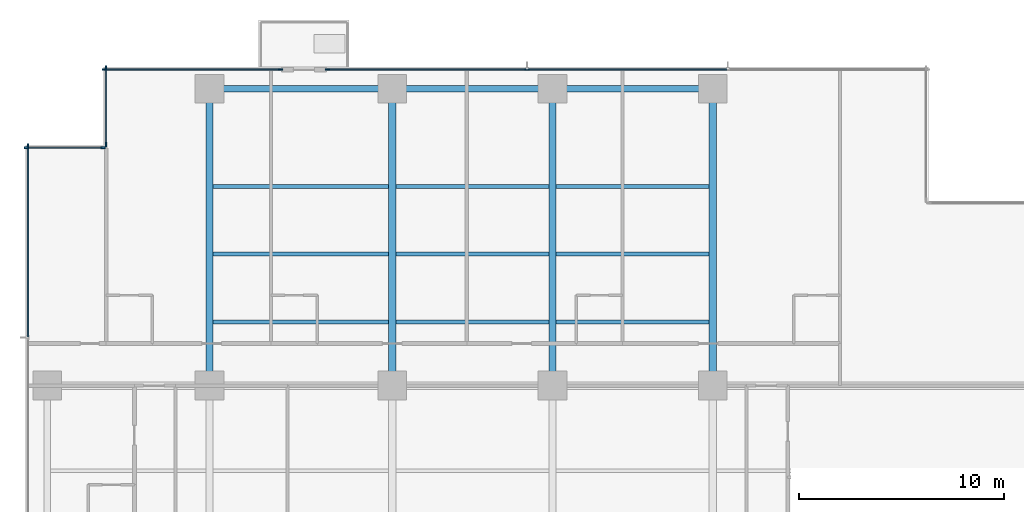
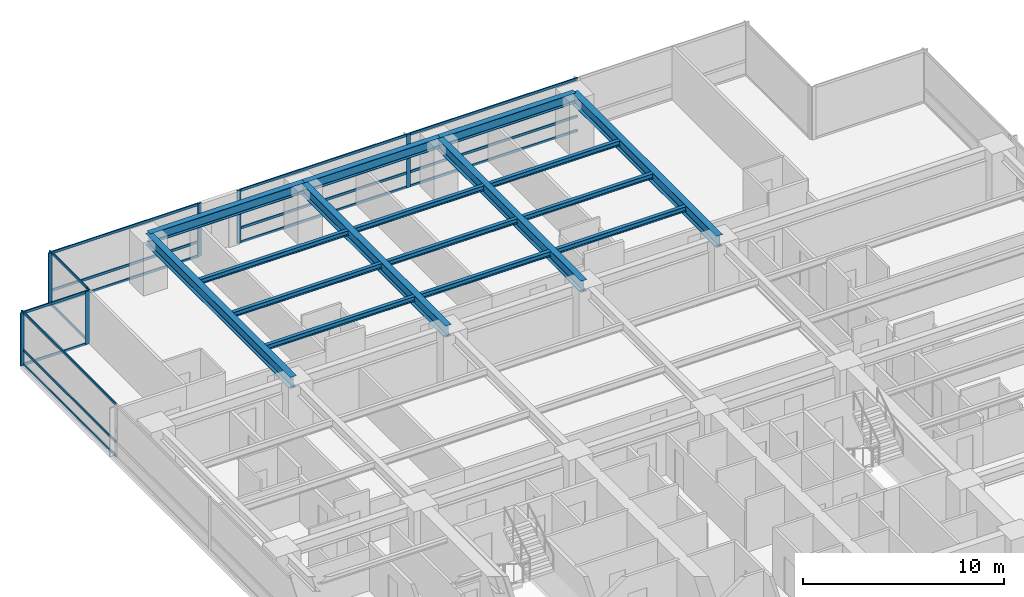
# One storey, part 4 of 17: 25 members, 16 beams, 5 elements without a shape of their own.
"""IFC4 building model written with IfcOpenShell, lengths in metres."""

from ifc_helpers import new_model, si_unit, direction, frame, origin, origin_2d, place, context, subcontext, project, spatial, rectangle, i_section, extrude, material, layer, layer_set, material_profile, profile_set, type_object, element, aggregate, save


model = new_model("IFC4")

# Units and contexts
model_context = context("Model", 3, precision=1e-05, world=origin(), true_north=direction((0.0, 1.0)))
body_context = subcontext(model_context, "Body", "Model", "MODEL_VIEW")
ifc_project = project(units=[si_unit("LENGTHUNIT", "METRE"), si_unit("AREAUNIT", "SQUARE_METRE"), si_unit("VOLUMEUNIT", "CUBIC_METRE"), si_unit("PLANEANGLEUNIT", "RADIAN"), si_unit("MASSUNIT", "GRAM", prefix="KILO")], contexts=[model_context])

# Site, building, storey
site_placement = place(None, origin())
site = spatial("IfcSite", under=ifc_project, at=site_placement, CompositionType="ELEMENT")
building_placement = place(site_placement, origin())
building = spatial("IfcBuilding", under=site, at=building_placement, Name="Qalmaran Belvedere Hotel", CompositionType="ELEMENT")
storey_placement = place(building_placement, frame((0.0, 0.0, 68.39990234375)))
storey = spatial("IfcBuildingStorey", under=building, at=storey_placement, Name="L17", CompositionType="ELEMENT", Elevation=68.39990234375)

# Beams
ifc_material_1 = material(Name="Steel S355JR", Category="steel")
ifc_material_profile_1 = material_profile(ifc_material_1, i_section(OverallWidth=0.202880859375, OverallDepth=0.302978515625, WebThickness=0.007568359375, FlangeThickness=0.01318359375, FilletRadius=0.012939453125, at=origin_2d()), Name="W310X60")
ifc_profile_set_1 = profile_set([ifc_material_profile_1], Name="Steel S355JR")
beam_type_1 = type_object("IfcBeamType", Name="BM-JST-W310X60", PredefinedType="JOIST", material=ifc_profile_set_1)
beam_1_placement = place(storey_placement, frame((20.4755859375, 36.10009765625, 3.068603515625), z_axis=(1.0, 0.0, 0.0), x_axis=(0.0, 1.0, 0.0)))
element("IfcBeam", 1, at=beam_1_placement, inside=storey, type_object=beam_type_1, Name="L17 North Floor Joist 042", PredefinedType="JOIST", context=body_context, shape_type="SweptSolid", body=[
    extrude(i_section(OverallWidth=0.202880859375, OverallDepth=0.302978515625, WebThickness=0.007568359375, FlangeThickness=0.01318359375, FilletRadius=0.012939453125, at=origin_2d()), origin(), (0.0, 0.0, 1.0), 8.548828125),
])
for number, where, z_axis, x_axis, name in (
    (2, (29.37548828125, 36.10009765625, 3.068603515625), (1.0, 0.0, 0.0), (0.0, 1.0, 0.0), "L17 North Floor Joist 043"),
    (3, (37.175537109375, 36.10009765625, 3.068603515625), (1.0, 0.0, 0.0), (0.0, 1.0, 0.0), "L17 North Floor Joist 044"),
):
    element("IfcBeam", number, at=place(storey_placement, frame(where, z_axis=z_axis, x_axis=x_axis)), inside=storey, type_object=beam_type_1, Name=name, PredefinedType="JOIST", context=body_context, shape_type="SweptSolid", body=[
        extrude(i_section(OverallWidth=0.202880859375, OverallDepth=0.302978515625, WebThickness=0.007568359375, FlangeThickness=0.01318359375, FilletRadius=0.012939453125, at=origin_2d()), origin(), (0.0, 0.0, 1.0), 7.448974609375),
    ])
beam_2_placement = place(storey_placement, frame((20.4755859375, 39.39990234375, 3.068603515625), z_axis=(1.0, 0.0, 0.0), x_axis=(0.0, 1.0, 0.0)))
element("IfcBeam", 4, at=beam_2_placement, inside=storey, type_object=beam_type_1, Name="L17 North Floor Joist 045", PredefinedType="JOIST", context=body_context, shape_type="SweptSolid", body=[
    extrude(i_section(OverallWidth=0.202880859375, OverallDepth=0.302978515625, WebThickness=0.007568359375, FlangeThickness=0.01318359375, FilletRadius=0.012939453125, at=origin_2d()), origin(), (0.0, 0.0, 1.0), 8.548828125),
])
for number, where, z_axis, x_axis, name in (
    (5, (29.37548828125, 39.39990234375, 3.068603515625), (1.0, 0.0, 0.0), (0.0, 1.0, 0.0), "L17 North Floor Joist 046"),
    (6, (37.175537109375, 39.39990234375, 3.068603515625), (1.0, 0.0, 0.0), (0.0, 1.0, 0.0), "L17 North Floor Joist 047"),
):
    element("IfcBeam", number, at=place(storey_placement, frame(where, z_axis=z_axis, x_axis=x_axis)), inside=storey, type_object=beam_type_1, Name=name, PredefinedType="JOIST", context=body_context, shape_type="SweptSolid", body=[
        extrude(i_section(OverallWidth=0.202880859375, OverallDepth=0.302978515625, WebThickness=0.007568359375, FlangeThickness=0.01318359375, FilletRadius=0.012939453125, at=origin_2d()), origin(), (0.0, 0.0, 1.0), 7.448974609375),
    ])
beam_3_placement = place(storey_placement, frame((20.4755859375, 42.699951171875, 3.068603515625), z_axis=(1.0, 0.0, 0.0), x_axis=(0.0, 1.0, 0.0)))
element("IfcBeam", 7, at=beam_3_placement, inside=storey, type_object=beam_type_1, Name="L17 North Floor Joist 048", PredefinedType="JOIST", context=body_context, shape_type="SweptSolid", body=[
    extrude(i_section(OverallWidth=0.202880859375, OverallDepth=0.302978515625, WebThickness=0.007568359375, FlangeThickness=0.01318359375, FilletRadius=0.012939453125, at=origin_2d()), origin(), (0.0, 0.0, 1.0), 8.548828125),
])
for number, where, z_axis, x_axis, name in (
    (8, (29.37548828125, 42.699951171875, 3.068603515625), (1.0, 0.0, 0.0), (0.0, 1.0, 0.0), "L17 North Floor Joist 049"),
    (9, (37.175537109375, 42.699951171875, 3.068603515625), (1.0, 0.0, 0.0), (0.0, 1.0, 0.0), "L17 North Floor Joist 050"),
):
    element("IfcBeam", number, at=place(storey_placement, frame(where, z_axis=z_axis, x_axis=x_axis)), inside=storey, type_object=beam_type_1, Name=name, PredefinedType="JOIST", context=body_context, shape_type="SweptSolid", body=[
        extrude(i_section(OverallWidth=0.202880859375, OverallDepth=0.302978515625, WebThickness=0.007568359375, FlangeThickness=0.01318359375, FilletRadius=0.012939453125, at=origin_2d()), origin(), (0.0, 0.0, 1.0), 7.448974609375),
    ])
ifc_material_profile_2 = material_profile(ifc_material_1, i_section(OverallWidth=0.326904296875, OverallDepth=0.6220703125, WebThickness=0.015380859375, FlangeThickness=0.0244140625, FilletRadius=0.02001953125, at=origin_2d()), Name="W610X195")
ifc_profile_set_2 = profile_set([ifc_material_profile_2], Name="Steel S355JR")
beam_type_2 = type_object("IfcBeamType", Name="BM-SP1-W610X195", PredefinedType="SPANDREL", material=ifc_profile_set_2)
beam_4_placement = place(storey_placement, frame((20.300048828125, 47.449951171875, 2.9091796875), z_axis=(1.0, 0.0, 0.0), x_axis=(0.0, 1.0, 0.0)))
element("IfcBeam", 10, at=beam_4_placement, inside=storey, type_object=beam_type_2, Name="L17 Perimeter Spandrel 05", PredefinedType="SPANDREL", context=body_context, shape_type="SweptSolid", body=[
    extrude(i_section(OverallWidth=0.326904296875, OverallDepth=0.6220703125, WebThickness=0.015380859375, FlangeThickness=0.0244140625, FilletRadius=0.02001953125, at=origin_2d()), origin(), (0.0, 0.0, 1.0), 8.89990234375),
])
for number, where, z_axis, x_axis, name in (
    (11, (29.199951171875, 47.449951171875, 2.9091796875), (1.0, 0.0, 0.0), (0.0, 1.0, 0.0), "L17 Perimeter Spandrel 06"),
    (12, (37.0, 47.449951171875, 2.9091796875), (1.0, 0.0, 0.0), (0.0, 1.0, 0.0), "L17 Perimeter Spandrel 07"),
):
    element("IfcBeam", number, at=place(storey_placement, frame(where, z_axis=z_axis, x_axis=x_axis)), inside=storey, type_object=beam_type_2, Name=name, PredefinedType="SPANDREL", context=body_context, shape_type="SweptSolid", body=[
        extrude(i_section(OverallWidth=0.326904296875, OverallDepth=0.6220703125, WebThickness=0.015380859375, FlangeThickness=0.0244140625, FilletRadius=0.02001953125, at=origin_2d()), origin(), (0.0, 0.0, 1.0), 7.800048828125),
    ])
ifc_material_profile_3 = material_profile(ifc_material_1, i_section(OverallWidth=0.35498046875, OverallDepth=0.695068359375, WebThickness=0.015380859375, FlangeThickness=0.02490234375, FilletRadius=0.02197265625, at=origin_2d()), Name="W690X217")
ifc_profile_set_3 = profile_set([ifc_material_profile_3], Name="Steel S355JR")
beam_type_3 = type_object("IfcBeamType", Name="BM-Z1-W690X217", PredefinedType="USERDEFINED", material=ifc_profile_set_3)
for number, where, z_axis, x_axis, name in (
    (13, (20.300048828125, 33.0, 2.87255859375), (0.0, 1.0, 0.0), (-1.0, 0.0, 0.0), "L17 North Bay Girder 15"),
    (14, (29.199951171875, 33.0, 2.87255859375), (0.0, 1.0, 0.0), (-1.0, 0.0, 0.0), "L17 North Bay Girder 17"),
    (15, (37.0, 33.0, 2.87255859375), (0.0, 1.0, 0.0), (-1.0, 0.0, 0.0), "L17 North Bay Girder 19"),
    (16, (44.800048828125, 33.0, 2.87255859375), (0.0, 1.0, 0.0), (-1.0, 0.0, 0.0), "L17 North Bay Girder 21"),
):
    element("IfcBeam", number, at=place(storey_placement, frame(where, z_axis=z_axis, x_axis=x_axis)), inside=storey, type_object=beam_type_3, Name=name, ObjectType="GIRDER", PredefinedType="USERDEFINED", context=body_context, shape_type="SweptSolid", body=[
        extrude(i_section(OverallWidth=0.35498046875, OverallDepth=0.695068359375, WebThickness=0.015380859375, FlangeThickness=0.02490234375, FilletRadius=0.02197265625, at=origin_2d()), origin(), (0.0, 0.0, 1.0), 14.449951171875),
    ])

# Curtain wall, members
ifc_material_2 = material(Name="Anodised Bronze Aluminium", Category="aluminium")
ifc_layer = layer(ifc_material_2, 0.2099609375, Name="Anodised Bronze Aluminium")
ifc_layer_set = layer_set([ifc_layer], Name="Anodised Bronze Aluminium")
curtain_wall_type = type_object("IfcCurtainWallType", Name="CW2-TOWER-LOWER", PredefinedType="NOTDEFINED", material=ifc_layer_set)
curtain_wall_1_placement = place(storey_placement, origin())
curtain_wall_1 = element("IfcCurtainWall", 17, at=curtain_wall_1_placement, inside=storey, type_object=curtain_wall_type, Name="L17 Curtain Wall CW2", PredefinedType="NOTDEFINED")
ifc_material_profile_4 = material_profile(ifc_material_2, rectangle(XDim=0.074951171875, YDim=0.219970703125, at=origin_2d()), Name="CWM75X220")
ifc_profile_set_4 = profile_set([ifc_material_profile_4], Name="Anodised Bronze Aluminium")
member_type_1 = type_object("IfcMemberType", Name="CWM-75X220", PredefinedType="MULLION", material=ifc_profile_set_4)
member_1_placement = place(storey_placement, frame((23.762451171875, 48.3798828125, 0.0), z_axis=(0.0, 0.0, 1.0), x_axis=(0.0, -1.0, 0.0)))
member_1 = element("IfcMember", 18, at=member_1_placement, type_object=member_type_1, Name="CW2 mullion 1", PredefinedType="MULLION", context=body_context, shape_type="SweptSolid", body=[
    extrude(rectangle(XDim=0.074951171875, YDim=0.219970703125, at=origin_2d()), origin(), (0.0, 0.0, 1.0), 3.22021484375),
])
member_2_placement = place(storey_placement, frame((15.1875, 48.3798828125, 0.0), z_axis=(0.0, 0.0, 1.0), x_axis=(0.0, -1.0, 0.0)))
member_2 = element("IfcMember", 19, at=member_2_placement, type_object=member_type_1, Name="CW2 mullion 2", PredefinedType="MULLION", context=body_context, shape_type="SweptSolid", body=[
    extrude(rectangle(XDim=0.074951171875, YDim=0.219970703125, at=origin_2d()), origin(), (0.0, 0.0, 1.0), 3.22021484375),
])

curtain_wall_2_placement = place(storey_placement, origin())
curtain_wall_2 = element("IfcCurtainWall", 20, at=curtain_wall_2_placement, inside=storey, type_object=curtain_wall_type, Name="L17 Curtain Wall CW2", PredefinedType="NOTDEFINED")
member_3_placement = place(storey_placement, frame((35.7666015625, 48.3798828125, 0.0), z_axis=(0.0, 0.0, 1.0), x_axis=(0.0, -1.0, 0.0)))
member_3 = element("IfcMember", 21, at=member_3_placement, type_object=member_type_1, Name="CW2 mullion 3", PredefinedType="MULLION", context=body_context, shape_type="SweptSolid", body=[
    extrude(rectangle(XDim=0.074951171875, YDim=0.219970703125, at=origin_2d()), origin(), (0.0, 0.0, 1.0), 3.22021484375),
])
member_4_placement = place(storey_placement, frame((26.03759765625, 48.3798828125, 0.0), z_axis=(0.0, 0.0, 1.0), x_axis=(0.0, -1.0, 0.0)))
member_4 = element("IfcMember", 22, at=member_4_placement, type_object=member_type_1, Name="CW2 mullion 4", PredefinedType="MULLION", context=body_context, shape_type="SweptSolid", body=[
    extrude(rectangle(XDim=0.074951171875, YDim=0.219970703125, at=origin_2d()), origin(), (0.0, 0.0, 1.0), 3.22021484375),
])

curtain_wall_3_placement = place(storey_placement, origin())
curtain_wall_3 = element("IfcCurtainWall", 23, at=curtain_wall_3_placement, inside=storey, type_object=curtain_wall_type, Name="L17 Curtain Wall CW2", PredefinedType="NOTDEFINED")
member_5_placement = place(storey_placement, frame((15.27001953125, 48.46240234375, 0.0), z_axis=(0.0, 0.0, 1.0), x_axis=(1.0, 0.0, 0.0)))
member_5 = element("IfcMember", 24, at=member_5_placement, type_object=member_type_1, Name="CW2 mullion 1", PredefinedType="MULLION", context=body_context, shape_type="SweptSolid", body=[
    extrude(rectangle(XDim=0.074951171875, YDim=0.219970703125, at=origin_2d()), origin(), (0.0, 0.0, 1.0), 3.22021484375),
])
member_6_placement = place(storey_placement, frame((15.27001953125, 44.737548828125, 0.0), z_axis=(0.0, 0.0, 1.0), x_axis=(1.0, 0.0, 0.0)))
member_6 = element("IfcMember", 25, at=member_6_placement, type_object=member_type_1, Name="CW2 mullion 2", PredefinedType="MULLION", context=body_context, shape_type="SweptSolid", body=[
    extrude(rectangle(XDim=0.074951171875, YDim=0.219970703125, at=origin_2d()), origin(), (0.0, 0.0, 1.0), 3.22021484375),
])

curtain_wall_4_placement = place(storey_placement, origin())
curtain_wall_4 = element("IfcCurtainWall", 26, at=curtain_wall_4_placement, inside=storey, type_object=curtain_wall_type, Name="L17 Curtain Wall CW2", PredefinedType="NOTDEFINED")
member_7_placement = place(storey_placement, frame((15.112548828125, 44.580078125, 0.0), z_axis=(0.0, 0.0, 1.0), x_axis=(0.0, -1.0, 0.0)))
member_7 = element("IfcMember", 27, at=member_7_placement, type_object=member_type_1, Name="CW2 mullion 1", PredefinedType="MULLION", context=body_context, shape_type="SweptSolid", body=[
    extrude(rectangle(XDim=0.074951171875, YDim=0.219970703125, at=origin_2d()), origin(), (0.0, 0.0, 1.0), 3.22021484375),
])
member_8_placement = place(storey_placement, frame((11.387451171875, 44.580078125, 0.0), z_axis=(0.0, 0.0, 1.0), x_axis=(0.0, -1.0, 0.0)))
member_8 = element("IfcMember", 28, at=member_8_placement, type_object=member_type_1, Name="CW2 mullion 2", PredefinedType="MULLION", context=body_context, shape_type="SweptSolid", body=[
    extrude(rectangle(XDim=0.074951171875, YDim=0.219970703125, at=origin_2d()), origin(), (0.0, 0.0, 1.0), 3.22021484375),
])

# Curtain wall, member
curtain_wall_5_placement = place(storey_placement, origin())
curtain_wall_5 = element("IfcCurtainWall", 29, at=curtain_wall_5_placement, inside=storey, type_object=curtain_wall_type, Name="L17 Curtain Wall CW2", PredefinedType="NOTDEFINED")
member_9_placement = place(storey_placement, frame((11.469970703125, 44.66259765625, 0.0), z_axis=(0.0, 0.0, 1.0), x_axis=(1.0, 0.0, 0.0)))
member_9 = element("IfcMember", 30, at=member_9_placement, type_object=member_type_1, Name="CW2 mullion 1", PredefinedType="MULLION", context=body_context, shape_type="SweptSolid", body=[
    extrude(rectangle(XDim=0.074951171875, YDim=0.219970703125, at=origin_2d()), origin(), (0.0, 0.0, 1.0), 3.22021484375),
])

# Member
ifc_material_profile_5 = material_profile(ifc_material_2, rectangle(XDim=0.070068359375, YDim=0.14990234375, at=origin_2d()), Name="CWT70X150")
ifc_profile_set_5 = profile_set([ifc_material_profile_5], Name="Anodised Bronze Aluminium")
member_type_2 = type_object("IfcMemberType", Name="CWT-70X150", PredefinedType="USERDEFINED", material=ifc_profile_set_5)
member_10_placement = place(storey_placement, frame((23.72509765625, 48.3798828125, 0.03515625), z_axis=(-1.0, 0.0, 0.0), x_axis=(0.0, -1.0, 0.0)))
member_10 = element("IfcMember", 31, at=member_10_placement, type_object=member_type_2, Name="CW2 transom 1.1", ObjectType="TRANSOM", PredefinedType="USERDEFINED", context=body_context, shape_type="SweptSolid", body=[
    extrude(rectangle(XDim=0.070068359375, YDim=0.14990234375, at=origin_2d()), origin(), (0.0, 0.0, 1.0), 8.5),
])

member_11_placement = place(storey_placement, frame((23.72509765625, 48.3798828125, 0.901611328125), z_axis=(-1.0, 0.0, 0.0), x_axis=(0.0, -1.0, 0.0)))
member_11 = element("IfcMember", 32, at=member_11_placement, type_object=member_type_2, Name="CW2 transom 1.2", ObjectType="TRANSOM", PredefinedType="USERDEFINED", context=body_context, shape_type="SweptSolid", body=[
    extrude(rectangle(XDim=0.070068359375, YDim=0.14990234375, at=origin_2d()), origin(), (0.0, 0.0, 1.0), 8.5),
])

member_12_placement = place(storey_placement, frame((23.72509765625, 48.3798828125, 3.18505859375), z_axis=(-1.0, 0.0, 0.0), x_axis=(0.0, -1.0, 0.0)))
member_12 = element("IfcMember", 33, at=member_12_placement, type_object=member_type_2, Name="CW2 transom 1.3", ObjectType="TRANSOM", PredefinedType="USERDEFINED", context=body_context, shape_type="SweptSolid", body=[
    extrude(rectangle(XDim=0.070068359375, YDim=0.14990234375, at=origin_2d()), origin(), (0.0, 0.0, 1.0), 8.5),
])

aggregate(curtain_wall_1, [member_1, member_2, member_10, member_11, member_12])

member_13_placement = place(storey_placement, frame((45.495849609375, 48.3798828125, 0.03515625), z_axis=(-1.0, 0.0, 0.0), x_axis=(0.0, -1.0, 0.0)))
member_13 = element("IfcMember", 34, at=member_13_placement, type_object=member_type_2, Name="CW2 transom 2.1", ObjectType="TRANSOM", PredefinedType="USERDEFINED", context=body_context, shape_type="SweptSolid", body=[
    extrude(rectangle(XDim=0.070068359375, YDim=0.14990234375, at=origin_2d()), origin(), (0.0, 0.0, 1.0), 9.691650390625),
])

member_14_placement = place(storey_placement, frame((45.495849609375, 48.3798828125, 0.901611328125), z_axis=(-1.0, 0.0, 0.0), x_axis=(0.0, -1.0, 0.0)))
member_14 = element("IfcMember", 35, at=member_14_placement, type_object=member_type_2, Name="CW2 transom 2.2", ObjectType="TRANSOM", PredefinedType="USERDEFINED", context=body_context, shape_type="SweptSolid", body=[
    extrude(rectangle(XDim=0.070068359375, YDim=0.14990234375, at=origin_2d()), origin(), (0.0, 0.0, 1.0), 9.691650390625),
])

member_15_placement = place(storey_placement, frame((45.495849609375, 48.3798828125, 3.18505859375), z_axis=(-1.0, 0.0, 0.0), x_axis=(0.0, -1.0, 0.0)))
member_15 = element("IfcMember", 36, at=member_15_placement, type_object=member_type_2, Name="CW2 transom 2.3", ObjectType="TRANSOM", PredefinedType="USERDEFINED", context=body_context, shape_type="SweptSolid", body=[
    extrude(rectangle(XDim=0.070068359375, YDim=0.14990234375, at=origin_2d()), origin(), (0.0, 0.0, 1.0), 9.691650390625),
])

member_16_placement = place(storey_placement, frame((35.729248046875, 48.3798828125, 0.03515625), z_axis=(-1.0, 0.0, 0.0), x_axis=(0.0, -1.0, 0.0)))
member_16 = element("IfcMember", 37, at=member_16_placement, type_object=member_type_2, Name="CW2 transom 3.1", ObjectType="TRANSOM", PredefinedType="USERDEFINED", context=body_context, shape_type="SweptSolid", body=[
    extrude(rectangle(XDim=0.070068359375, YDim=0.14990234375, at=origin_2d()), origin(), (0.0, 0.0, 1.0), 9.654296875),
])

member_17_placement = place(storey_placement, frame((35.729248046875, 48.3798828125, 0.901611328125), z_axis=(-1.0, 0.0, 0.0), x_axis=(0.0, -1.0, 0.0)))
member_17 = element("IfcMember", 38, at=member_17_placement, type_object=member_type_2, Name="CW2 transom 3.2", ObjectType="TRANSOM", PredefinedType="USERDEFINED", context=body_context, shape_type="SweptSolid", body=[
    extrude(rectangle(XDim=0.070068359375, YDim=0.14990234375, at=origin_2d()), origin(), (0.0, 0.0, 1.0), 9.654296875),
])

member_18_placement = place(storey_placement, frame((35.729248046875, 48.3798828125, 3.18505859375), z_axis=(-1.0, 0.0, 0.0), x_axis=(0.0, -1.0, 0.0)))
member_18 = element("IfcMember", 39, at=member_18_placement, type_object=member_type_2, Name="CW2 transom 3.3", ObjectType="TRANSOM", PredefinedType="USERDEFINED", context=body_context, shape_type="SweptSolid", body=[
    extrude(rectangle(XDim=0.070068359375, YDim=0.14990234375, at=origin_2d()), origin(), (0.0, 0.0, 1.0), 9.654296875),
])

aggregate(curtain_wall_2, [member_3, member_4, member_13, member_14, member_15, member_16, member_17, member_18])

member_19_placement = place(storey_placement, frame((15.27001953125, 48.425048828125, 0.03515625), z_axis=(0.0, -1.0, 0.0), x_axis=(1.0, 0.0, 0.0)))
member_19 = element("IfcMember", 40, at=member_19_placement, type_object=member_type_2, Name="CW2 transom 1.1", ObjectType="TRANSOM", PredefinedType="USERDEFINED", context=body_context, shape_type="SweptSolid", body=[
    extrude(rectangle(XDim=0.070068359375, YDim=0.14990234375, at=origin_2d()), origin(), (0.0, 0.0, 1.0), 3.650146484375),
])

member_20_placement = place(storey_placement, frame((15.27001953125, 48.425048828125, 3.18505859375), z_axis=(0.0, -1.0, 0.0), x_axis=(1.0, 0.0, 0.0)))
member_20 = element("IfcMember", 41, at=member_20_placement, type_object=member_type_2, Name="CW2 transom 1.2", ObjectType="TRANSOM", PredefinedType="USERDEFINED", context=body_context, shape_type="SweptSolid", body=[
    extrude(rectangle(XDim=0.070068359375, YDim=0.14990234375, at=origin_2d()), origin(), (0.0, 0.0, 1.0), 3.650146484375),
])

aggregate(curtain_wall_3, [member_5, member_6, member_19, member_20])

member_21_placement = place(storey_placement, frame((15.074951171875, 44.580078125, 0.03515625), z_axis=(-1.0, 0.0, 0.0), x_axis=(0.0, -1.0, 0.0)))
member_21 = element("IfcMember", 42, at=member_21_placement, type_object=member_type_2, Name="CW2 transom 1.1", ObjectType="TRANSOM", PredefinedType="USERDEFINED", context=body_context, shape_type="SweptSolid", body=[
    extrude(rectangle(XDim=0.070068359375, YDim=0.14990234375, at=origin_2d()), origin(), (0.0, 0.0, 1.0), 3.64990234375),
])

member_22_placement = place(storey_placement, frame((15.074951171875, 44.580078125, 3.18505859375), z_axis=(-1.0, 0.0, 0.0), x_axis=(0.0, -1.0, 0.0)))
member_22 = element("IfcMember", 43, at=member_22_placement, type_object=member_type_2, Name="CW2 transom 1.2", ObjectType="TRANSOM", PredefinedType="USERDEFINED", context=body_context, shape_type="SweptSolid", body=[
    extrude(rectangle(XDim=0.070068359375, YDim=0.14990234375, at=origin_2d()), origin(), (0.0, 0.0, 1.0), 3.64990234375),
])

aggregate(curtain_wall_4, [member_7, member_8, member_21, member_22])

member_23_placement = place(storey_placement, frame((11.469970703125, 44.625, 0.03515625), z_axis=(0.0, -1.0, 0.0), x_axis=(1.0, 0.0, 0.0)))
member_23 = element("IfcMember", 44, at=member_23_placement, type_object=member_type_2, Name="CW2 transom 1.1", ObjectType="TRANSOM", PredefinedType="USERDEFINED", context=body_context, shape_type="SweptSolid", body=[
    extrude(rectangle(XDim=0.070068359375, YDim=0.14990234375, at=origin_2d()), origin(), (0.0, 0.0, 1.0), 9.237548828125),
])

member_24_placement = place(storey_placement, frame((11.469970703125, 44.625, 0.901611328125), z_axis=(0.0, -1.0, 0.0), x_axis=(1.0, 0.0, 0.0)))
member_24 = element("IfcMember", 45, at=member_24_placement, type_object=member_type_2, Name="CW2 transom 1.2", ObjectType="TRANSOM", PredefinedType="USERDEFINED", context=body_context, shape_type="SweptSolid", body=[
    extrude(rectangle(XDim=0.070068359375, YDim=0.14990234375, at=origin_2d()), origin(), (0.0, 0.0, 1.0), 9.237548828125),
])

member_25_placement = place(storey_placement, frame((11.469970703125, 44.625, 3.18505859375), z_axis=(0.0, -1.0, 0.0), x_axis=(1.0, 0.0, 0.0)))
member_25 = element("IfcMember", 46, at=member_25_placement, type_object=member_type_2, Name="CW2 transom 1.3", ObjectType="TRANSOM", PredefinedType="USERDEFINED", context=body_context, shape_type="SweptSolid", body=[
    extrude(rectangle(XDim=0.070068359375, YDim=0.14990234375, at=origin_2d()), origin(), (0.0, 0.0, 1.0), 9.237548828125),
])

aggregate(curtain_wall_5, [member_9, member_23, member_24, member_25])

save(model, "model.ifc")
